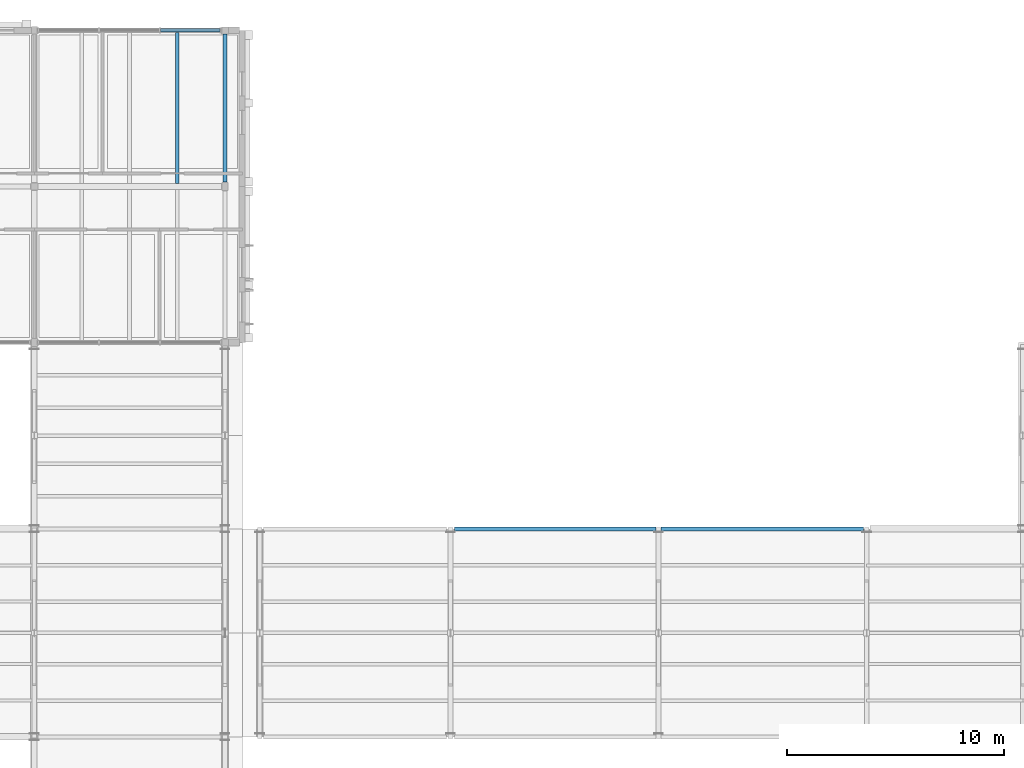
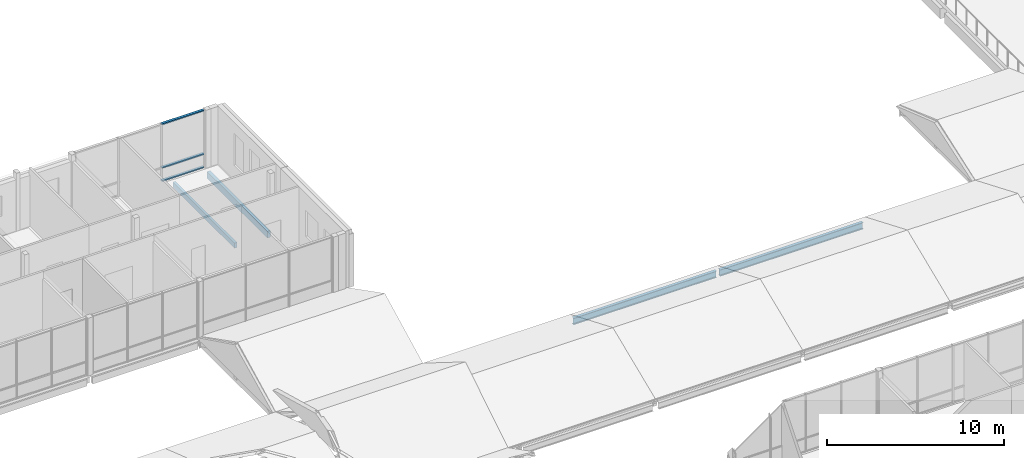
# One storey, part 45 of 115: 4 beams, 3 members, 1 element without a shape of its own.
"""IFC4 building model written with IfcOpenShell, lengths in metres."""

from ifc_helpers import new_model, si_unit, direction, frame, origin, origin_2d, place, context, subcontext, project, spatial, rectangle, hollow_rectangle, i_section, extrude, material, material_profile, profile_set, type_object, element, aggregate, save


model = new_model("IFC4")

# Units and contexts
model_context = context("Model", 3, precision=1e-05, world=origin(), true_north=direction((0.0, 1.0)))
body_context = subcontext(model_context, "Body", "Model", "MODEL_VIEW")
ifc_project = project(units=[si_unit("LENGTHUNIT", "METRE"), si_unit("AREAUNIT", "SQUARE_METRE"), si_unit("VOLUMEUNIT", "CUBIC_METRE"), si_unit("PLANEANGLEUNIT", "RADIAN"), si_unit("MASSUNIT", "GRAM", prefix="KILO")], contexts=[model_context])

# Site, building, storey
site_placement = place(None, origin())
site = spatial("IfcSite", under=ifc_project, at=site_placement, CompositionType="ELEMENT")
building_placement = place(site_placement, origin())
building = spatial("IfcBuilding", under=site, at=building_placement, Name="Hawrajan Terrace Health Centre", CompositionType="ELEMENT")
storey_placement = place(building_placement, frame((0.0, 0.0, 9.0)))
storey = spatial("IfcBuildingStorey", under=building, at=storey_placement, Name="L02", CompositionType="ELEMENT", Elevation=9.0)

# Curtain wall, members
ifc_material_1 = material(Name="Anodized bronze aluminium and low-E solar glazing", Category="aluminium")
curtain_wall_type = type_object("IfcCurtainWallType", Name="CW_Clerestory_SeriesG2", PredefinedType="USERDEFINED", material=ifc_material_1)
curtain_wall_placement = place(storey_placement, origin())
curtain_wall = element("IfcCurtainWall", 1, at=curtain_wall_placement, inside=storey, type_object=curtain_wall_type, Name="Curtain wall CW-L02-137", ObjectType="UNITISED CURTAIN WALL", PredefinedType="USERDEFINED")
ifc_material_2 = material(Name="Anodized bronze aluminium 6063-T6", Category="aluminium")
ifc_material_profile_1 = material_profile(ifc_material_2, hollow_rectangle(XDim=0.074951171875, YDim=0.169921875, WallThickness=0.00439453125, at=origin_2d()), Name="CW TRN 75x170")
ifc_profile_set_1 = profile_set([ifc_material_profile_1], Name="Anodized bronze aluminium 6063-T6")
member_type = type_object("IfcMemberType", Name="CWTransom_75x170", PredefinedType="USERDEFINED", material=ifc_profile_set_1)
member_1_placement = place(storey_placement, frame((68.025634765625, 59.800048828125, 0.03759765625), z_axis=(1.0, 0.0, 0.0), x_axis=(0.0, 0.0, 1.0)))
member_1 = element("IfcMember", 2, at=member_1_placement, type_object=member_type, Name="Transom CW-L02-137-T3-1", ObjectType="TRANSOM", PredefinedType="USERDEFINED", context=body_context, shape_type="SweptSolid", body=[
    extrude(hollow_rectangle(XDim=0.074951171875, YDim=0.169921875, WallThickness=0.00439453125, at=origin_2d()), origin(), (0.0, 0.0, 1.0), 2.745361328125),
])
member_2_placement = place(storey_placement, frame((68.025634765625, 59.800048828125, 0.949951171875), z_axis=(1.0, 0.0, 0.0), x_axis=(0.0, 0.0, 1.0)))
member_2 = element("IfcMember", 3, at=member_2_placement, type_object=member_type, Name="Transom CW-L02-137-T3-2", ObjectType="TRANSOM", PredefinedType="USERDEFINED", context=body_context, shape_type="SweptSolid", body=[
    extrude(hollow_rectangle(XDim=0.074951171875, YDim=0.169921875, WallThickness=0.00439453125, at=origin_2d()), origin(), (0.0, 0.0, 1.0), 2.745361328125),
])
member_3_placement = place(storey_placement, frame((68.025634765625, 59.800048828125, 3.9423828125), z_axis=(1.0, 0.0, 0.0), x_axis=(0.0, 0.0, 1.0)))
member_3 = element("IfcMember", 4, at=member_3_placement, type_object=member_type, Name="Transom CW-L02-137-T3-3", ObjectType="TRANSOM", PredefinedType="USERDEFINED", context=body_context, shape_type="SweptSolid", body=[
    extrude(hollow_rectangle(XDim=0.074951171875, YDim=0.169921875, WallThickness=0.00439453125, at=origin_2d()), origin(), (0.0, 0.0, 1.0), 2.745361328125),
])
aggregate(curtain_wall, [member_1, member_2, member_3])

# Beams
ifc_material_3 = material(Name="Glulam GL28h", Category="wood")
ifc_material_profile_2 = material_profile(ifc_material_3, rectangle(XDim=0.159912109375, YDim=0.360107421875, at=origin_2d()), Name="GL JST 160x360")
ifc_profile_set_2 = profile_set([ifc_material_profile_2], Name="Glulam GL28h")
beam_type_1 = type_object("IfcBeamType", Name="GlulamJoist_160x360", PredefinedType="JOIST", material=ifc_profile_set_2)
beam_1_placement = place(storey_placement, frame((68.800048828125, 52.739990234375, -0.419921875), z_axis=(0.0, 1.0, 0.0), x_axis=(-1.0, 0.0, 0.0)))
element("IfcBeam", 5, at=beam_1_placement, inside=storey, type_object=beam_type_1, Name="Secondary joist JST-L02-W-09-7-3", PredefinedType="JOIST", context=body_context, shape_type="SweptSolid", body=[
    extrude(rectangle(XDim=0.159912109375, YDim=0.360107421875, at=origin_2d()), origin(), (0.0, 0.0, 1.0), 6.9599609375),
])
ifc_material_4 = material(Name="Glulam GL32h", Category="wood")
ifc_material_profile_3 = material_profile(ifc_material_4, rectangle(XDim=0.199951171875, YDim=0.4599609375, at=origin_2d()), Name="GL SP 200x460")
ifc_profile_set_3 = profile_set([ifc_material_profile_3], Name="Glulam GL32h")
beam_type_2 = type_object("IfcBeamType", Name="GlulamSpandrel_200x460", PredefinedType="SPANDREL", material=ifc_profile_set_3)
beam_2_placement = place(storey_placement, frame((71.0, 52.81005859375, -0.469970703125), z_axis=(0.0, 1.0, 0.0), x_axis=(-1.0, 0.0, 0.0)))
element("IfcBeam", 6, at=beam_2_placement, inside=storey, type_object=beam_type_2, Name="Beam BM-Y-L02-W-X10-7", PredefinedType="SPANDREL", context=body_context, shape_type="SweptSolid", body=[
    extrude(rectangle(XDim=0.199951171875, YDim=0.4599609375, at=origin_2d()), origin(), (0.0, 0.0, 1.0), 6.81005859375),
])
ifc_material_5 = material(Name="Steel S355", Category="steel")
ifc_material_profile_4 = material_profile(ifc_material_5, i_section(OverallWidth=0.18994140625, OverallDepth=0.449951171875, WebThickness=0.009521484375, FlangeThickness=0.0146484375, FilletRadius=0.02099609375, at=origin_2d()), Name="IPE 450")
ifc_profile_set_4 = profile_set([ifc_material_profile_4], Name="Steel S355")
beam_type_3 = type_object("IfcBeamType", Name="SteelBeam_IPE450", PredefinedType="BEAM", material=ifc_profile_set_4)
beam_3_placement = place(storey_placement, frame((81.580078125, 36.800048828125, -0.425048828125), z_axis=(1.0, 0.0, 0.0), x_axis=(0.0, 1.0, 0.0)))
element("IfcBeam", 7, at=beam_3_placement, inside=storey, type_object=beam_type_3, Name="Beam BM-X-L02-C-11-Y5", PredefinedType="BEAM", context=body_context, shape_type="SweptSolid", body=[
    extrude(i_section(OverallWidth=0.18994140625, OverallDepth=0.449951171875, WebThickness=0.009521484375, FlangeThickness=0.0146484375, FilletRadius=0.02099609375, at=origin_2d()), origin(), (0.0, 0.0, 1.0), 9.310302734375),
])
beam_4_placement = place(storey_placement, frame((91.109619140625, 36.800048828125, -0.425048828125), z_axis=(1.0, 0.0, 0.0), x_axis=(0.0, 1.0, 0.0)))
element("IfcBeam", 8, at=beam_4_placement, inside=storey, type_object=beam_type_3, Name="Beam BM-X-L02-C-12-Y5", PredefinedType="BEAM", context=body_context, shape_type="SweptSolid", body=[
    extrude(i_section(OverallWidth=0.18994140625, OverallDepth=0.449951171875, WebThickness=0.009521484375, FlangeThickness=0.0146484375, FilletRadius=0.02099609375, at=origin_2d()), origin(), (0.0, 0.0, 1.0), 9.34033203125),
])

save(model, "model.ifc")
